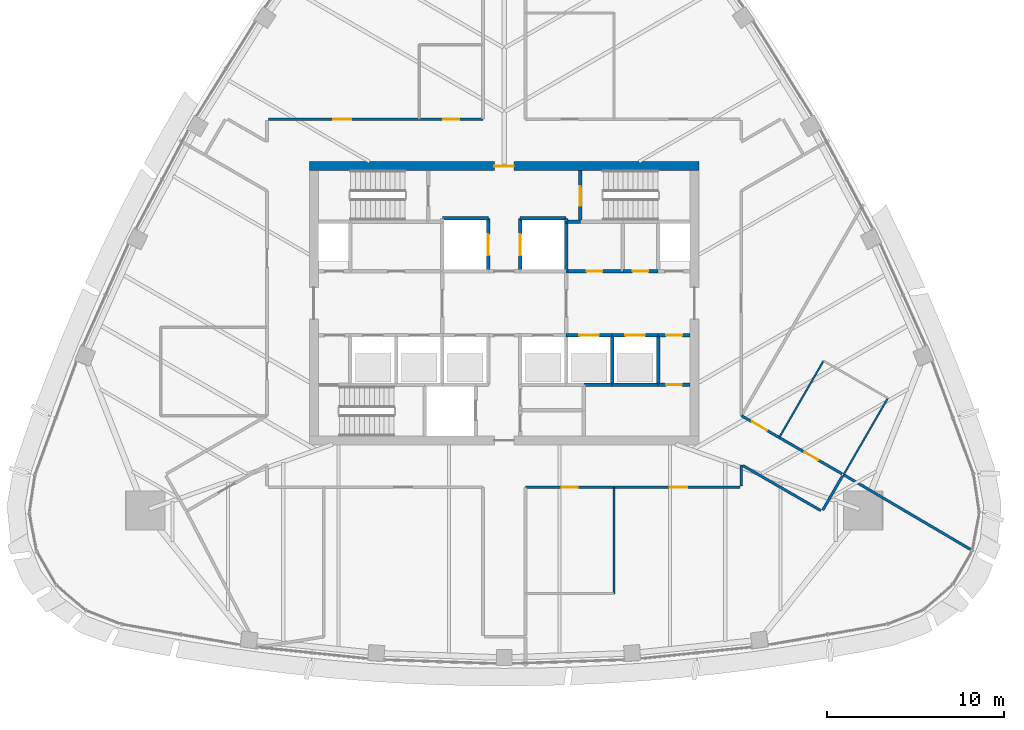
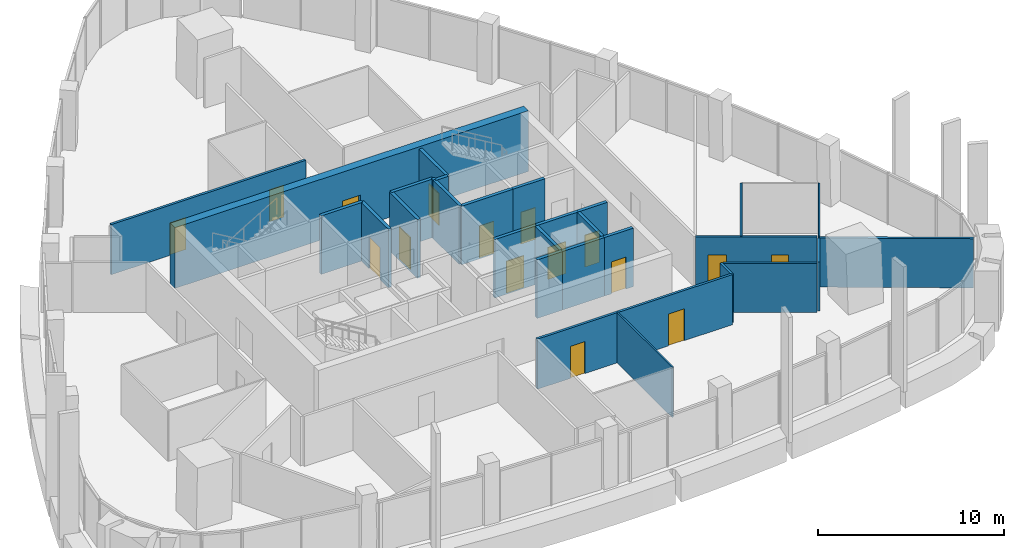
# One storey, part 10 of 16: 29 walls, 16 doors, 16 openings.
"""IFC4 building model written with IfcOpenShell, lengths in metres."""

from ifc_helpers import new_model, si_unit, direction, frame, frame_2d, origin, place, context, subcontext, project, spatial, rectangle, extrude, material, layer, layer_set, type_object, element, fill, save


model = new_model("IFC4")

# Units and contexts
model_context = context("Model", 3, precision=1e-05, world=origin(), true_north=direction((0.0, 1.0)))
body_context = subcontext(model_context, "Body", "Model", "MODEL_VIEW")
ifc_project = project(units=[si_unit("LENGTHUNIT", "METRE"), si_unit("AREAUNIT", "SQUARE_METRE"), si_unit("VOLUMEUNIT", "CUBIC_METRE"), si_unit("PLANEANGLEUNIT", "RADIAN"), si_unit("MASSUNIT", "GRAM", prefix="KILO")], contexts=[model_context])

# Site, building, storey
site_placement = place(None, origin())
site = spatial("IfcSite", under=ifc_project, at=site_placement, CompositionType="ELEMENT")
building_placement = place(site_placement, origin())
building = spatial("IfcBuilding", under=site, at=building_placement, Name="Sierra Prisma Convention Tower", CompositionType="ELEMENT")
storey_placement = place(building_placement, frame((0.0, 0.0, 303.0)))
storey = spatial("IfcBuildingStorey", under=building, at=storey_placement, Name="L69", CompositionType="ELEMENT", Elevation=303.0)

# Walls
ifc_material_1 = material(Name="Gypsum board partition", Category="gypsum")
ifc_layer_1 = layer(ifc_material_1, 0.10009765625)
ifc_layer_set_1 = layer_set([ifc_layer_1], Name="Bathroom partition 100")
wall_type_1 = type_object("IfcWallType", Name="Bathroom partition 100", PredefinedType="PARTITIONING", material=ifc_layer_set_1)
wall_1_placement = place(storey_placement, frame((6.199951171875, -10.429931640625, 0.0), z_axis=(0.0, 0.0, 1.0), x_axis=(0.0, -1.0, 0.0)))
element("IfcWall", 1, at=wall_1_placement, inside=storey, type_object=wall_type_1, Name="Partition L69 bath 6", PredefinedType="PARTITIONING", context=body_context, shape_type="SweptSolid", body=[
    extrude(rectangle(XDim=5.969970703125, YDim=0.10009765625, at=frame_2d((2.98486328125, 0.0))), origin(), (0.0, 0.0, 1.0), 3.300048828125),
])
wall_2_placement = place(storey_placement, frame((15.552001953125, -7.558837890625, 0.0), z_axis=(0.0, 0.0, 1.0), x_axis=(0.500011595943, 0.86601870876, 0.0)))
element("IfcWall", 2, at=wall_2_placement, inside=storey, type_object=wall_type_1, Name="Partition L69 bath 10", PredefinedType="PARTITIONING", context=body_context, shape_type="SweptSolid", body=[
    extrude(rectangle(XDim=4.97021484375, YDim=0.10009765625, at=frame_2d((2.485107421875, 0.0))), origin(), (0.0, 0.0, 1.0), 3.300048828125),
])
wall_3_placement = place(storey_placement, frame((21.67431640625, -5.3544921875, 0.0), z_axis=(0.0, 0.0, 1.0), x_axis=(-0.499974753747, -0.866039979225, 0.0)))
element("IfcWall", 3, at=wall_3_placement, inside=storey, type_object=wall_type_1, Name="Partition L69 bath 12", PredefinedType="PARTITIONING", context=body_context, shape_type="SweptSolid", body=[
    extrude(rectangle(XDim=4.969970703125, YDim=0.10009765625, at=frame_2d((2.48486328125, 0.0))), origin(), (0.0, 0.0, 1.0), 3.300048828125),
])

# Wall, opening, door
ifc_material_2 = material(Name="Concrete C30/37", Category="concrete")
ifc_layer_2 = layer(ifc_material_2, 0.199951171875)
ifc_layer_set_2 = layer_set([ifc_layer_2], Name="Core wall RC 200 C30/37")
wall_type_2 = type_object("IfcWallType", Name="Core wall RC 200 C30/37", PredefinedType="SOLIDWALL", material=ifc_layer_set_2)
wall_4_placement = place(storey_placement, frame((-0.89990234375, 1.800048828125, 0.0), z_axis=(0.0, 0.0, 1.0), x_axis=(0.0, 1.0, 0.0)))
wall_4 = element("IfcWall", 4, at=wall_4_placement, inside=storey, type_object=wall_type_2, Name="Core wall L69 24", PredefinedType="SOLIDWALL", context=body_context, shape_type="SweptSolid", body=[
    extrude(rectangle(XDim=3.0, YDim=0.199951171875, at=frame_2d((1.5, 0.0))), origin(), (0.0, 0.0, 1.0), 3.85009765625),
])
opening_1_placement = place(wall_4_placement, frame((0.89990234375, 0.0, 0.0)))
opening_1 = element("IfcOpeningElement", 5, at=opening_1_placement, cuts=wall_4, Name="Opening L69-D007", PredefinedType="OPENING", context=body_context, shape_type="SweptSolid", body=[
    extrude(rectangle(XDim=1.199951171875, YDim=2.10009765625, at=frame_2d((0.60009765625, 1.050048828125))), frame((0.0, 0.10009765625, 0.0), z_axis=(0.0, -1.0, 0.0), x_axis=(1.0, 0.0, 0.0)), (0.0, 0.0, 1.0), 0.199951171875),
])
ifc_material_3 = material(Name="Steel fire door leaf", Category="steel")
door_type_1 = type_object("IfcDoorType", Name="Door 1200x2100 EI 90 sliding lift landing", OperationType="SLIDING_TO_LEFT", PredefinedType="DOOR", material=ifc_material_3)
door_1_placement = place(opening_1_placement, origin())
door_1 = element("IfcDoor", 6, at=door_1_placement, inside=storey, type_object=door_type_1, Name="Door L69 20", OperationType="SLIDING_TO_LEFT", OverallHeight=2.10009765625, OverallWidth=1.199951171875, PredefinedType="DOOR", context=body_context, shape_type="SweptSolid", body=[
    extrude(rectangle(XDim=1.199951171875, YDim=2.10009765625, at=frame_2d((0.60009765625, 1.050048828125))), frame((0.0, 0.02490234375, 0.0), z_axis=(0.0, -1.0, 0.0), x_axis=(1.0, 0.0, 0.0)), (0.0, 0.0, 1.0), 0.050048828125),
])
fill(opening_1, door_1)

# Walls
wall_5_placement = place(storey_placement, frame((-0.89990234375, 4.800048828125, 0.0), z_axis=(0.0, 0.0, 1.0), x_axis=(-1.0, 0.0, 0.0)))
element("IfcWall", 7, at=wall_5_placement, inside=storey, type_object=wall_type_2, Name="Core wall L69 25", PredefinedType="SOLIDWALL", context=body_context, shape_type="SweptSolid", body=[
    extrude(rectangle(XDim=2.60009765625, YDim=0.199951171875, at=frame_2d((1.300048828125, 0.0))), origin(), (0.0, 0.0, 1.0), 3.85009765625),
])
wall_6_placement = place(storey_placement, frame((3.5, 4.60009765625, 0.0), z_axis=(0.0, 0.0, 1.0), x_axis=(0.0, 1.0, 0.0)))
element("IfcWall", 8, at=wall_6_placement, inside=storey, type_object=wall_type_2, Name="Core wall L69 39", PredefinedType="SOLIDWALL", context=body_context, shape_type="SweptSolid", body=[
    extrude(rectangle(XDim=0.199951171875, YDim=0.199951171875, at=frame_2d((0.10009765625, 0.0))), origin(), (0.0, 0.0, 1.0), 3.85009765625),
])
wall_7_placement = place(storey_placement, frame((3.5, 4.800048828125, 0.0), z_axis=(0.0, 0.0, 1.0), x_axis=(-1.0, 0.0, 0.0)))
element("IfcWall", 9, at=wall_7_placement, inside=storey, type_object=wall_type_2, Name="Core wall L69 40", PredefinedType="SOLIDWALL", context=body_context, shape_type="SweptSolid", body=[
    extrude(rectangle(XDim=2.60009765625, YDim=0.199951171875, at=frame_2d((1.300048828125, 0.0))), origin(), (0.0, 0.0, 1.0), 3.85009765625),
])

# Wall, opening, door
wall_8_placement = place(storey_placement, frame((0.89990234375, 4.800048828125, 0.0), z_axis=(0.0, 0.0, 1.0), x_axis=(0.0, -1.0, 0.0)))
wall_8 = element("IfcWall", 10, at=wall_8_placement, inside=storey, type_object=wall_type_2, Name="Core wall L69 41", PredefinedType="SOLIDWALL", context=body_context, shape_type="SweptSolid", body=[
    extrude(rectangle(XDim=3.0, YDim=0.199951171875, at=frame_2d((1.5, 0.0))), origin(), (0.0, 0.0, 1.0), 3.85009765625),
])
opening_2_placement = place(wall_8_placement, frame((0.89990234375, 0.0, 0.0)))
opening_2 = element("IfcOpeningElement", 11, at=opening_2_placement, cuts=wall_8, Name="Opening L69-D008", PredefinedType="OPENING", context=body_context, shape_type="SweptSolid", body=[
    extrude(rectangle(XDim=1.199951171875, YDim=2.10009765625, at=frame_2d((0.60009765625, 1.050048828125))), frame((0.0, 0.10009765625, 0.0), z_axis=(0.0, -1.0, 0.0), x_axis=(1.0, 0.0, 0.0)), (0.0, 0.0, 1.0), 0.199951171875),
])
door_2_placement = place(opening_2_placement, origin())
door_2 = element("IfcDoor", 12, at=door_2_placement, inside=storey, type_object=door_type_1, Name="Door L69 21", OperationType="SLIDING_TO_LEFT", OverallHeight=2.10009765625, OverallWidth=1.199951171875, PredefinedType="DOOR", context=body_context, shape_type="SweptSolid", body=[
    extrude(rectangle(XDim=1.199951171875, YDim=2.10009765625, at=frame_2d((0.60009765625, 1.050048828125))), frame((0.0, 0.02490234375, 0.0), z_axis=(0.0, -1.0, 0.0), x_axis=(1.0, 0.0, 0.0)), (0.0, 0.0, 1.0), 0.050048828125),
])
fill(opening_2, door_2)

wall_9_placement = place(storey_placement, frame((3.5, -1.800048828125, 0.0), z_axis=(0.0, 0.0, 1.0), x_axis=(1.0, 0.0, 0.0)))
wall_9 = element("IfcWall", 13, at=wall_9_placement, inside=storey, type_object=wall_type_2, Name="Core wall L69 44", PredefinedType="SOLIDWALL", context=body_context, shape_type="SweptSolid", body=[
    extrude(rectangle(XDim=2.60009765625, YDim=0.199951171875, at=frame_2d((1.300048828125, 0.0))), origin(), (0.0, 0.0, 1.0), 3.85009765625),
])
opening_3_placement = place(wall_9_placement, frame((0.75, 0.0, 0.0)))
opening_3 = element("IfcOpeningElement", 14, at=opening_3_placement, cuts=wall_9, Name="Opening L69-D005", PredefinedType="OPENING", context=body_context, shape_type="SweptSolid", body=[
    extrude(rectangle(XDim=1.10009765625, YDim=2.10009765625, at=frame_2d((0.550048828125, 1.050048828125))), frame((0.0, 0.10009765625, 0.0), z_axis=(0.0, -1.0, 0.0), x_axis=(1.0, 0.0, 0.0)), (0.0, 0.0, 1.0), 0.199951171875),
])
ifc_material_4 = material(Name="Steel fire door leaf", Category="steel")
door_type_2 = type_object("IfcDoorType", Name="Door 1100x2100 EI 90 sliding lift landing", OperationType="SLIDING_TO_LEFT", PredefinedType="DOOR", material=ifc_material_4)
door_3_placement = place(opening_3_placement, origin())
door_3 = element("IfcDoor", 15, at=door_3_placement, inside=storey, type_object=door_type_2, Name="Door L69 18", OperationType="SLIDING_TO_RIGHT", OverallHeight=2.10009765625, OverallWidth=1.10009765625, PredefinedType="DOOR", context=body_context, shape_type="SweptSolid", body=[
    extrude(rectangle(XDim=1.10009765625, YDim=2.10009765625, at=frame_2d((0.550048828125, 1.050048828125))), frame((0.0, 0.02490234375, 0.0), z_axis=(0.0, -1.0, 0.0), x_axis=(1.0, 0.0, 0.0)), (0.0, 0.0, 1.0), 0.050048828125),
])
fill(opening_3, door_3)

wall_10_placement = place(storey_placement, frame((3.5, 1.800048828125, 0.0), z_axis=(0.0, 0.0, 1.0), x_axis=(1.0, 0.0, 0.0)))
wall_10 = element("IfcWall", 16, at=wall_10_placement, inside=storey, type_object=wall_type_2, Name="Core wall L69 46", PredefinedType="SOLIDWALL", context=body_context, shape_type="SweptSolid", body=[
    extrude(rectangle(XDim=3.199951171875, YDim=0.199951171875, at=frame_2d((1.60009765625, 0.0))), origin(), (0.0, 0.0, 1.0), 3.85009765625),
])
opening_4_placement = place(wall_10_placement, frame((1.14990234375, 0.0, 0.0)))
opening_4 = element("IfcOpeningElement", 17, at=opening_4_placement, cuts=wall_10, Name="Opening L69-D020", PredefinedType="OPENING", context=body_context, shape_type="SweptSolid", body=[
    extrude(rectangle(XDim=0.89990234375, YDim=2.10009765625, at=frame_2d((0.449951171875, 1.050048828125))), frame((0.0, 0.10009765625, 0.0), z_axis=(0.0, -1.0, 0.0), x_axis=(1.0, 0.0, 0.0)), (0.0, 0.0, 1.0), 0.199951171875),
])
ifc_material_5 = material(Name="Steel fire door leaf", Category="steel")
door_type_3 = type_object("IfcDoorType", Name="Door 900x2100 FD30S", OperationType="SINGLE_SWING_LEFT", PredefinedType="DOOR", material=ifc_material_5)
door_4_placement = place(opening_4_placement, origin())
door_4 = element("IfcDoor", 18, at=door_4_placement, inside=storey, type_object=door_type_3, Name="Door L69 33", OperationType="SINGLE_SWING_LEFT", OverallHeight=2.10009765625, OverallWidth=0.89990234375, PredefinedType="DOOR", context=body_context, shape_type="SweptSolid", body=[
    extrude(rectangle(XDim=0.89990234375, YDim=2.10009765625, at=frame_2d((0.449951171875, 1.050048828125))), frame((0.0, 0.02490234375, 0.0), z_axis=(0.0, -1.0, 0.0), x_axis=(1.0, 0.0, 0.0)), (0.0, 0.0, 1.0), 0.050048828125),
])
fill(opening_4, door_4)

# Walls
wall_11_placement = place(storey_placement, frame((3.5, 4.60009765625, 0.0), z_axis=(0.0, 0.0, 1.0), x_axis=(0.0, -1.0, 0.0)))
element("IfcWall", 19, at=wall_11_placement, inside=storey, type_object=wall_type_2, Name="Core wall L69 47", PredefinedType="SOLIDWALL", context=body_context, shape_type="SweptSolid", body=[
    extrude(rectangle(XDim=2.800048828125, YDim=0.199951171875, at=frame_2d((1.39990234375, 0.0))), origin(), (0.0, 0.0, 1.0), 3.85009765625),
])
wall_12_placement = place(storey_placement, frame((4.300048828125, 4.60009765625, 0.0), z_axis=(0.0, 0.0, 1.0), x_axis=(-1.0, 0.0, 0.0)))
element("IfcWall", 20, at=wall_12_placement, inside=storey, type_object=wall_type_2, Name="Core wall L69 48", PredefinedType="SOLIDWALL", context=body_context, shape_type="SweptSolid", body=[
    extrude(rectangle(XDim=0.800048828125, YDim=0.199951171875, at=frame_2d((0.39990234375, 0.0))), origin(), (0.0, 0.0, 1.0), 3.85009765625),
])

# Wall, opening, door
wall_13_placement = place(storey_placement, frame((4.300048828125, 7.5, 0.0), z_axis=(0.0, 0.0, 1.0), x_axis=(0.0, -1.0, 0.0)))
wall_13 = element("IfcWall", 21, at=wall_13_placement, inside=storey, type_object=wall_type_2, Name="Core wall L69 50", PredefinedType="SOLIDWALL", context=body_context, shape_type="SweptSolid", body=[
    extrude(rectangle(XDim=2.89990234375, YDim=0.199951171875, at=frame_2d((1.449951171875, 0.0))), origin(), (0.0, 0.0, 1.0), 3.85009765625),
])
opening_5_placement = place(wall_13_placement, frame((0.89990234375, 0.0, 0.0)))
opening_5 = element("IfcOpeningElement", 22, at=opening_5_placement, cuts=wall_13, Name="Opening L69-D019", PredefinedType="OPENING", context=body_context, shape_type="SweptSolid", body=[
    extrude(rectangle(XDim=1.10009765625, YDim=2.10009765625, at=frame_2d((0.550048828125, 1.050048828125))), frame((0.0, 0.10009765625, 0.0), z_axis=(0.0, -1.0, 0.0), x_axis=(1.0, 0.0, 0.0)), (0.0, 0.0, 1.0), 0.199951171875),
])
ifc_material_6 = material(Name="Steel fire door leaf", Category="steel")
door_type_4 = type_object("IfcDoorType", Name="Door 1100x2100 FD90S", OperationType="SINGLE_SWING_LEFT", PredefinedType="DOOR", material=ifc_material_6)
door_5_placement = place(opening_5_placement, origin())
door_5 = element("IfcDoor", 23, at=door_5_placement, inside=storey, type_object=door_type_4, Name="Door L69 32", OperationType="SINGLE_SWING_RIGHT", OverallHeight=2.10009765625, OverallWidth=1.10009765625, PredefinedType="DOOR", context=body_context, shape_type="SweptSolid", body=[
    extrude(rectangle(XDim=1.10009765625, YDim=2.10009765625, at=frame_2d((0.550048828125, 1.050048828125))), frame((0.0, 0.02490234375, 0.0), z_axis=(0.0, -1.0, 0.0), x_axis=(1.0, 0.0, 0.0)), (0.0, 0.0, 1.0), 0.050048828125),
])
fill(opening_5, door_5)

# Walls
wall_14_placement = place(storey_placement, frame((6.10009765625, -4.60009765625, 0.0), z_axis=(0.0, 0.0, 1.0), x_axis=(-1.0, 0.0, 0.0)))
element("IfcWall", 24, at=wall_14_placement, inside=storey, type_object=wall_type_2, Name="Core wall L69 53", PredefinedType="SOLIDWALL", context=body_context, shape_type="SweptSolid", body=[
    extrude(rectangle(XDim=1.60009765625, YDim=0.199951171875, at=frame_2d((0.800048828125, 0.0))), origin(), (0.0, 0.0, 1.0), 3.85009765625),
])
wall_15_placement = place(storey_placement, frame((8.699951171875, -4.60009765625, 0.0), z_axis=(0.0, 0.0, 1.0), x_axis=(-1.0, 0.0, 0.0)))
element("IfcWall", 25, at=wall_15_placement, inside=storey, type_object=wall_type_2, Name="Core wall L69 54", PredefinedType="SOLIDWALL", context=body_context, shape_type="SweptSolid", body=[
    extrude(rectangle(XDim=2.599853515625, YDim=0.199951171875, at=frame_2d((1.2998046875, 0.0))), origin(), (0.0, 0.0, 1.0), 3.85009765625),
])
wall_16_placement = place(storey_placement, frame((6.10009765625, -4.60009765625, 0.0), z_axis=(0.0, 0.0, 1.0), x_axis=(0.0, 1.0, 0.0)))
element("IfcWall", 26, at=wall_16_placement, inside=storey, type_object=wall_type_2, Name="Core wall L69 55", PredefinedType="SOLIDWALL", context=body_context, shape_type="SweptSolid", body=[
    extrude(rectangle(XDim=2.800048828125, YDim=0.199951171875, at=frame_2d((1.39990234375, 0.0))), origin(), (0.0, 0.0, 1.0), 3.85009765625),
])

# Wall, opening, door
wall_17_placement = place(storey_placement, frame((6.10009765625, -1.800048828125, 0.0), z_axis=(0.0, 0.0, 1.0), x_axis=(1.0, 0.0, 0.0)))
wall_17 = element("IfcWall", 27, at=wall_17_placement, inside=storey, type_object=wall_type_2, Name="Core wall L69 56", PredefinedType="SOLIDWALL", context=body_context, shape_type="SweptSolid", body=[
    extrude(rectangle(XDim=2.599853515625, YDim=0.199951171875, at=frame_2d((1.2998046875, 0.0))), origin(), (0.0, 0.0, 1.0), 3.85009765625),
])
opening_6_placement = place(wall_17_placement, frame((0.75, 0.0, 0.0)))
opening_6 = element("IfcOpeningElement", 28, at=opening_6_placement, cuts=wall_17, Name="Opening L69-D006", PredefinedType="OPENING", context=body_context, shape_type="SweptSolid", body=[
    extrude(rectangle(XDim=1.10009765625, YDim=2.10009765625, at=frame_2d((0.550048828125, 1.050048828125))), frame((0.0, 0.10009765625, 0.0), z_axis=(0.0, -1.0, 0.0), x_axis=(1.0, 0.0, 0.0)), (0.0, 0.0, 1.0), 0.199951171875),
])
door_6_placement = place(opening_6_placement, origin())
door_6 = element("IfcDoor", 29, at=door_6_placement, inside=storey, type_object=door_type_2, Name="Door L69 19", OperationType="SLIDING_TO_LEFT", OverallHeight=2.10009765625, OverallWidth=1.10009765625, PredefinedType="DOOR", context=body_context, shape_type="SweptSolid", body=[
    extrude(rectangle(XDim=1.10009765625, YDim=2.10009765625, at=frame_2d((0.550048828125, 1.050048828125))), frame((0.0, 0.02490234375, 0.0), z_axis=(0.0, -1.0, 0.0), x_axis=(1.0, 0.0, 0.0)), (0.0, 0.0, 1.0), 0.050048828125),
])
fill(opening_6, door_6)

wall_18_placement = place(storey_placement, frame((6.699951171875, 1.800048828125, 0.0), z_axis=(0.0, 0.0, 1.0), x_axis=(1.0, 0.0, 0.0)))
wall_18 = element("IfcWall", 30, at=wall_18_placement, inside=storey, type_object=wall_type_2, Name="Core wall L69 57", PredefinedType="SOLIDWALL", context=body_context, shape_type="SweptSolid", body=[
    extrude(rectangle(XDim=2.0, YDim=0.199951171875, at=frame_2d((1.0, 0.0))), origin(), (0.0, 0.0, 1.0), 3.85009765625),
])
opening_7_placement = place(wall_18_placement, frame((0.550048828125, 0.0, 0.0)))
opening_7 = element("IfcOpeningElement", 31, at=opening_7_placement, cuts=wall_18, Name="Opening L69-D021", PredefinedType="OPENING", context=body_context, shape_type="SweptSolid", body=[
    extrude(rectangle(XDim=0.89990234375, YDim=2.10009765625, at=frame_2d((0.449951171875, 1.050048828125))), frame((0.0, 0.10009765625, 0.0), z_axis=(0.0, -1.0, 0.0), x_axis=(1.0, 0.0, 0.0)), (0.0, 0.0, 1.0), 0.199951171875),
])
door_7_placement = place(opening_7_placement, origin())
door_7 = element("IfcDoor", 32, at=door_7_placement, inside=storey, type_object=door_type_3, Name="Door L69 34", OperationType="SINGLE_SWING_LEFT", OverallHeight=2.10009765625, OverallWidth=0.89990234375, PredefinedType="DOOR", context=body_context, shape_type="SweptSolid", body=[
    extrude(rectangle(XDim=0.89990234375, YDim=2.10009765625, at=frame_2d((0.449951171875, 1.050048828125))), frame((0.0, 0.02490234375, 0.0), z_axis=(0.0, -1.0, 0.0), x_axis=(1.0, 0.0, 0.0)), (0.0, 0.0, 1.0), 0.050048828125),
])
fill(opening_7, door_7)

wall_19_placement = place(storey_placement, frame((10.5, -4.60009765625, 0.0), z_axis=(0.0, 0.0, 1.0), x_axis=(-1.0, 0.0, 0.0)))
wall_19 = element("IfcWall", 33, at=wall_19_placement, inside=storey, type_object=wall_type_2, Name="Core wall L69 60", PredefinedType="SOLIDWALL", context=body_context, shape_type="SweptSolid", body=[
    extrude(rectangle(XDim=1.800048828125, YDim=0.199951171875, at=frame_2d((0.89990234375, 0.0))), origin(), (0.0, 0.0, 1.0), 3.85009765625),
])
opening_8_placement = place(wall_19_placement, frame((0.4599609375, 0.0, 0.0)))
opening_8 = element("IfcOpeningElement", 34, at=opening_8_placement, cuts=wall_19, Name="Opening L69-D023", PredefinedType="OPENING", context=body_context, shape_type="SweptSolid", body=[
    extrude(rectangle(XDim=0.89990234375, YDim=2.10009765625, at=frame_2d((0.449951171875, 1.050048828125))), frame((0.0, 0.10009765625, 0.0), z_axis=(0.0, -1.0, 0.0), x_axis=(1.0, 0.0, 0.0)), (0.0, 0.0, 1.0), 0.199951171875),
])
door_8_placement = place(opening_8_placement, origin())
door_8 = element("IfcDoor", 35, at=door_8_placement, inside=storey, type_object=door_type_3, Name="Door L69 36", OperationType="SINGLE_SWING_LEFT", OverallHeight=2.10009765625, OverallWidth=0.89990234375, PredefinedType="DOOR", context=body_context, shape_type="SweptSolid", body=[
    extrude(rectangle(XDim=0.89990234375, YDim=2.10009765625, at=frame_2d((0.449951171875, 1.050048828125))), frame((0.0, 0.02490234375, 0.0), z_axis=(0.0, -1.0, 0.0), x_axis=(1.0, 0.0, 0.0)), (0.0, 0.0, 1.0), 0.050048828125),
])
fill(opening_8, door_8)

# Wall
wall_20_placement = place(storey_placement, frame((8.699951171875, -1.800048828125, 0.0), z_axis=(0.0, 0.0, 1.0), x_axis=(0.0, -1.0, 0.0)))
element("IfcWall", 36, at=wall_20_placement, inside=storey, type_object=wall_type_2, Name="Core wall L69 61", PredefinedType="SOLIDWALL", context=body_context, shape_type="SweptSolid", body=[
    extrude(rectangle(XDim=2.800048828125, YDim=0.199951171875, at=frame_2d((1.39990234375, 0.0))), origin(), (0.0, 0.0, 1.0), 3.85009765625),
])

# Wall, opening, door
wall_21_placement = place(storey_placement, frame((8.699951171875, -1.800048828125, 0.0), z_axis=(0.0, 0.0, 1.0), x_axis=(1.0, 0.0, 0.0)))
wall_21 = element("IfcWall", 37, at=wall_21_placement, inside=storey, type_object=wall_type_2, Name="Core wall L69 62", PredefinedType="SOLIDWALL", context=body_context, shape_type="SweptSolid", body=[
    extrude(rectangle(XDim=1.800048828125, YDim=0.199951171875, at=frame_2d((0.89990234375, 0.0))), origin(), (0.0, 0.0, 1.0), 3.85009765625),
])
opening_9_placement = place(wall_21_placement, frame((0.449951171875, 0.0, 0.0)))
opening_9 = element("IfcOpeningElement", 38, at=opening_9_placement, cuts=wall_21, Name="Opening L69-D024", PredefinedType="OPENING", context=body_context, shape_type="SweptSolid", body=[
    extrude(rectangle(XDim=0.89990234375, YDim=2.10009765625, at=frame_2d((0.449951171875, 1.050048828125))), frame((0.0, 0.10009765625, 0.0), z_axis=(0.0, -1.0, 0.0), x_axis=(1.0, 0.0, 0.0)), (0.0, 0.0, 1.0), 0.199951171875),
])
door_9_placement = place(opening_9_placement, origin())
door_9 = element("IfcDoor", 39, at=door_9_placement, inside=storey, type_object=door_type_3, Name="Door L69 37", OperationType="SINGLE_SWING_RIGHT", OverallHeight=2.10009765625, OverallWidth=0.89990234375, PredefinedType="DOOR", context=body_context, shape_type="SweptSolid", body=[
    extrude(rectangle(XDim=0.89990234375, YDim=2.10009765625, at=frame_2d((0.449951171875, 1.050048828125))), frame((0.0, 0.02490234375, 0.0), z_axis=(0.0, -1.0, 0.0), x_axis=(1.0, 0.0, 0.0)), (0.0, 0.0, 1.0), 0.050048828125),
])
fill(opening_9, door_9)

ifc_material_7 = material(Name="Concrete C50/60", Category="concrete")
ifc_layer_3 = layer(ifc_material_7, 0.5)
ifc_layer_set_3 = layer_set([ifc_layer_3], Name="Core wall RC 500 C50/60")
wall_type_3 = type_object("IfcWallType", Name="Core wall RC 500 C50/60", PredefinedType="SHEAR", material=ifc_layer_set_3)
wall_22_placement = place(storey_placement, frame((-11.0, 7.75, 0.0), z_axis=(0.0, 0.0, 1.0), x_axis=(1.0, 0.0, 0.0)))
wall_22 = element("IfcWall", 40, at=wall_22_placement, inside=storey, type_object=wall_type_3, Name="Core wall N L69", PredefinedType="SHEAR", context=body_context, shape_type="SweptSolid", body=[
    extrude(rectangle(XDim=22.0, YDim=0.5, at=frame_2d((11.0, 0.0))), origin(), (0.0, 0.0, 1.0), 4.0),
])
opening_10_placement = place(wall_22_placement, frame((10.449951171875, 0.0, 0.0)))
opening_10 = element("IfcOpeningElement", 41, at=opening_10_placement, cuts=wall_22, Name="Opening L69-D041", PredefinedType="OPENING", context=body_context, shape_type="SweptSolid", body=[
    extrude(rectangle(XDim=1.10009765625, YDim=2.10009765625, at=frame_2d((0.550048828125, 1.050048828125))), frame((0.0, 0.25, 0.0), z_axis=(0.0, -1.0, 0.0), x_axis=(1.0, 0.0, 0.0)), (0.0, 0.0, 1.0), 0.5),
])
ifc_material_8 = material(Name="Steel fire door leaf", Category="steel")
door_type_5 = type_object("IfcDoorType", Name="Door 1100x2100 FD60S", OperationType="SINGLE_SWING_LEFT", PredefinedType="DOOR", material=ifc_material_8)
door_10_placement = place(opening_10_placement, origin())
door_10 = element("IfcDoor", 42, at=door_10_placement, inside=storey, type_object=door_type_5, Name="Door L69 42", OperationType="SINGLE_SWING_LEFT", OverallHeight=2.10009765625, OverallWidth=1.10009765625, PredefinedType="DOOR", context=body_context, shape_type="SweptSolid", body=[
    extrude(rectangle(XDim=1.10009765625, YDim=2.10009765625, at=frame_2d((0.550048828125, 1.050048828125))), frame((0.0, 0.02490234375, 0.0), z_axis=(0.0, -1.0, 0.0), x_axis=(1.0, 0.0, 0.0)), (0.0, 0.0, 1.0), 0.050048828125),
])
fill(opening_10, door_10)

# Wall, openings, doors
ifc_material_9 = material(Name="Gypsum board partition", Category="gypsum")
ifc_layer_4 = layer(ifc_material_9, 0.14990234375)
ifc_layer_set_4 = layer_set([ifc_layer_4], Name="Corridor wall 150 gypsum EI 60")
wall_type_4 = type_object("IfcWallType", Name="Corridor wall 150 gypsum EI 60", PredefinedType="PARTITIONING", material=ifc_layer_set_4)
wall_23_placement = place(storey_placement, frame((-1.199951171875, 10.39990234375, 0.0), z_axis=(0.0, 0.0, 1.0), x_axis=(-1.0, 0.0, 0.0)))
wall_23 = element("IfcWall", 43, at=wall_23_placement, inside=storey, type_object=wall_type_4, Name="Partition L69 corr 13", PredefinedType="PARTITIONING", context=body_context, shape_type="SweptSolid", body=[
    extrude(rectangle(XDim=12.1201171875, YDim=0.14990234375, at=frame_2d((6.06005859375, 0.0))), origin(), (0.0, 0.0, 1.0), 3.300048828125),
])
opening_11_placement = place(wall_23_placement, frame((1.35009765625, 0.0, 0.0)))
opening_11 = element("IfcOpeningElement", 44, at=opening_11_placement, cuts=wall_23, Name="Opening L69-D030", PredefinedType="OPENING", context=body_context, shape_type="SweptSolid", body=[
    extrude(rectangle(XDim=0.89990234375, YDim=2.10009765625, at=frame_2d((0.449951171875, 1.050048828125))), frame((0.0, 0.074951171875, 0.0), z_axis=(0.0, -1.0, 0.0), x_axis=(1.0, 0.0, 0.0)), (0.0, 0.0, 1.0), 0.14990234375),
])
opening_12_placement = place(wall_23_placement, frame((7.449951171875, 0.0, 0.0)))
opening_12 = element("IfcOpeningElement", 45, at=opening_12_placement, cuts=wall_23, Name="Opening L69-D031", PredefinedType="OPENING", context=body_context, shape_type="SweptSolid", body=[
    extrude(rectangle(XDim=1.0, YDim=2.10009765625, at=frame_2d((0.5, 1.050048828125))), frame((0.0, 0.074951171875, 0.0), z_axis=(0.0, -1.0, 0.0), x_axis=(1.0, 0.0, 0.0)), (0.0, 0.0, 1.0), 0.14990234375),
])
ifc_material_10 = material(Name="Steel fire door leaf", Category="steel")
door_type_6 = type_object("IfcDoorType", Name="Door 1000x2100 FD30S", OperationType="SINGLE_SWING_LEFT", PredefinedType="DOOR", material=ifc_material_10)
door_11_placement = place(opening_12_placement, origin())
door_11 = element("IfcDoor", 46, at=door_11_placement, inside=storey, type_object=door_type_6, Name="Door L69 5", OperationType="SINGLE_SWING_LEFT", OverallHeight=2.10009765625, OverallWidth=1.0, PredefinedType="DOOR", context=body_context, shape_type="SweptSolid", body=[
    extrude(rectangle(XDim=1.0, YDim=2.10009765625, at=frame_2d((0.5, 1.050048828125))), frame((0.0, 0.02490234375, 0.0), z_axis=(0.0, -1.0, 0.0), x_axis=(1.0, 0.0, 0.0)), (0.0, 0.0, 1.0), 0.050048828125),
])
fill(opening_12, door_11)
door_12_placement = place(opening_11_placement, origin())
door_12 = element("IfcDoor", 47, at=door_12_placement, inside=storey, type_object=door_type_3, Name="Door L69 4", OperationType="SINGLE_SWING_LEFT", OverallHeight=2.10009765625, OverallWidth=0.89990234375, PredefinedType="DOOR", context=body_context, shape_type="SweptSolid", body=[
    extrude(rectangle(XDim=0.89990234375, YDim=2.10009765625, at=frame_2d((0.449951171875, 1.050048828125))), frame((0.0, 0.02490234375, 0.0), z_axis=(0.0, -1.0, 0.0), x_axis=(1.0, 0.0, 0.0)), (0.0, 0.0, 1.0), 0.050048828125),
])
fill(opening_11, door_12)

wall_24_placement = place(storey_placement, frame((1.199951171875, -10.39990234375, 0.0), z_axis=(0.0, 0.0, 1.0), x_axis=(1.0, 0.0, 0.0)))
wall_24 = element("IfcWall", 48, at=wall_24_placement, inside=storey, type_object=wall_type_4, Name="Partition L69 corr 17", PredefinedType="PARTITIONING", context=body_context, shape_type="SweptSolid", body=[
    extrude(rectangle(XDim=12.1201171875, YDim=0.14990234375, at=frame_2d((6.06005859375, 0.0))), origin(), (0.0, 0.0, 1.0), 3.300048828125),
])
opening_13_placement = place(wall_24_placement, frame((2.050048828125, 0.0, 0.0)))
opening_13 = element("IfcOpeningElement", 49, at=opening_13_placement, cuts=wall_24, Name="Opening L69-D036", PredefinedType="OPENING", context=body_context, shape_type="SweptSolid", body=[
    extrude(rectangle(XDim=0.89990234375, YDim=2.10009765625, at=frame_2d((0.449951171875, 1.050048828125))), frame((0.0, 0.074951171875, 0.0), z_axis=(0.0, -1.0, 0.0), x_axis=(1.0, 0.0, 0.0)), (0.0, 0.0, 1.0), 0.14990234375),
])
opening_14_placement = place(wall_24_placement, frame((8.14990234375, 0.0, 0.0)))
opening_14 = element("IfcOpeningElement", 50, at=opening_14_placement, cuts=wall_24, Name="Opening L69-D037", PredefinedType="OPENING", context=body_context, shape_type="SweptSolid", body=[
    extrude(rectangle(XDim=1.0, YDim=2.10009765625, at=frame_2d((0.5, 1.050048828125))), frame((0.0, 0.074951171875, 0.0), z_axis=(0.0, -1.0, 0.0), x_axis=(1.0, 0.0, 0.0)), (0.0, 0.0, 1.0), 0.14990234375),
])
door_13_placement = place(opening_14_placement, origin())
door_13 = element("IfcDoor", 51, at=door_13_placement, inside=storey, type_object=door_type_6, Name="Door L69 11", OperationType="SINGLE_SWING_RIGHT", OverallHeight=2.10009765625, OverallWidth=1.0, PredefinedType="DOOR", context=body_context, shape_type="SweptSolid", body=[
    extrude(rectangle(XDim=1.0, YDim=2.10009765625, at=frame_2d((0.5, 1.050048828125))), frame((0.0, 0.02490234375, 0.0), z_axis=(0.0, -1.0, 0.0), x_axis=(1.0, 0.0, 0.0)), (0.0, 0.0, 1.0), 0.050048828125),
])
fill(opening_14, door_13)
door_14_placement = place(opening_13_placement, origin())
door_14 = element("IfcDoor", 52, at=door_14_placement, inside=storey, type_object=door_type_3, Name="Door L69 10", OperationType="SINGLE_SWING_RIGHT", OverallHeight=2.10009765625, OverallWidth=0.89990234375, PredefinedType="DOOR", context=body_context, shape_type="SweptSolid", body=[
    extrude(rectangle(XDim=0.89990234375, YDim=2.10009765625, at=frame_2d((0.449951171875, 1.050048828125))), frame((0.0, 0.02490234375, 0.0), z_axis=(0.0, -1.0, 0.0), x_axis=(1.0, 0.0, 0.0)), (0.0, 0.0, 1.0), 0.050048828125),
])
fill(opening_13, door_14)

# Walls
wall_25_placement = place(storey_placement, frame((13.39990234375, -10.320068359375, 0.0), z_axis=(0.0, 0.0, 1.0), x_axis=(0.0, 1.0, 0.0)))
element("IfcWall", 53, at=wall_25_placement, inside=storey, type_object=wall_type_4, Name="Partition L69 corr 20", PredefinedType="PARTITIONING", context=body_context, shape_type="SweptSolid", body=[
    extrude(rectangle(XDim=1.197998046875, YDim=0.14990234375, at=frame_2d((0.59912109375, 0.0))), origin(), (0.0, 0.0, 1.0), 3.23291015625),
])
wall_26_placement = place(storey_placement, frame((13.479248046875, -9.16796875, 0.0), z_axis=(0.0, 0.0, 1.0), x_axis=(0.866029844103, -0.499992309064, 0.0)))
element("IfcWall", 54, at=wall_26_placement, inside=storey, type_object=wall_type_4, Name="Partition L69 corr 21", PredefinedType="PARTITIONING", context=body_context, shape_type="SweptSolid", body=[
    extrude(rectangle(XDim=5.09033203125, YDim=0.14990234375, at=frame_2d((2.545166015625, 0.0))), origin(), (0.0, 0.0, 1.0), 3.23291015625),
])

# Wall, openings, doors
wall_27_placement = place(storey_placement, frame((19.087890625, -9.634765625, 0.0), z_axis=(0.0, 0.0, 1.0), x_axis=(-0.866027119138, 0.499997028909, 0.0)))
wall_27 = element("IfcWall", 55, at=wall_27_placement, inside=storey, type_object=wall_type_4, Name="Partition L69 corr 24", PredefinedType="PARTITIONING", context=body_context, shape_type="SweptSolid", body=[
    extrude(rectangle(XDim=6.56787109375, YDim=0.14990234375, at=frame_2d((3.283935546875, 0.0))), origin(), (0.0, 0.0, 1.0), 3.300048828125),
])
opening_15_placement = place(wall_27_placement, frame((1.550048828125, 0.0, 0.0)))
opening_15 = element("IfcOpeningElement", 56, at=opening_15_placement, cuts=wall_27, Name="Opening L69-D038", PredefinedType="OPENING", context=body_context, shape_type="SweptSolid", body=[
    extrude(rectangle(XDim=0.89990234375, YDim=2.10009765625, at=frame_2d((0.449951171875, 1.050048828125))), frame((0.0, 0.074951171875, 0.0), z_axis=(0.0, -1.0, 0.0), x_axis=(1.0, 0.0, 0.0)), (0.0, 0.0, 1.0), 0.14990234375),
])
opening_16_placement = place(wall_27_placement, frame((4.8837890625, 0.0, 0.0)))
opening_16 = element("IfcOpeningElement", 57, at=opening_16_placement, cuts=wall_27, Name="Opening L69-D039", PredefinedType="OPENING", context=body_context, shape_type="SweptSolid", body=[
    extrude(rectangle(XDim=1.0, YDim=2.10009765625, at=frame_2d((0.5, 1.050048828125))), frame((0.0, 0.074951171875, 0.0), z_axis=(0.0, -1.0, 0.0), x_axis=(1.0, 0.0, 0.0)), (0.0, 0.0, 1.0), 0.14990234375),
])
door_15_placement = place(opening_16_placement, origin())
door_15 = element("IfcDoor", 58, at=door_15_placement, inside=storey, type_object=door_type_6, Name="Door L69 13", OperationType="SINGLE_SWING_LEFT", OverallHeight=2.10009765625, OverallWidth=1.0, PredefinedType="DOOR", context=body_context, shape_type="SweptSolid", body=[
    extrude(rectangle(XDim=1.0, YDim=2.10009765625, at=frame_2d((0.5, 1.050048828125))), frame((0.0, 0.02490234375, 0.0), z_axis=(0.0, -1.0, 0.0), x_axis=(1.0, 0.0, 0.0)), (0.0, 0.0, 1.0), 0.050048828125),
])
fill(opening_16, door_15)
door_16_placement = place(opening_15_placement, origin())
door_16 = element("IfcDoor", 59, at=door_16_placement, inside=storey, type_object=door_type_3, Name="Door L69 12", OperationType="SINGLE_SWING_RIGHT", OverallHeight=2.10009765625, OverallWidth=0.89990234375, PredefinedType="DOOR", context=body_context, shape_type="SweptSolid", body=[
    extrude(rectangle(XDim=0.89990234375, YDim=2.10009765625, at=frame_2d((0.449951171875, 1.050048828125))), frame((0.0, 0.02490234375, 0.0), z_axis=(0.0, -1.0, 0.0), x_axis=(1.0, 0.0, 0.0)), (0.0, 0.0, 1.0), 0.050048828125),
])
fill(opening_15, door_16)

# Walls
wall_28_placement = place(storey_placement, frame((17.9970703125, -11.683837890625, 0.0), z_axis=(0.0, 0.0, 1.0), x_axis=(0.500030632641, 0.866007717299, 0.0)))
element("IfcWall", 60, at=wall_28_placement, inside=storey, type_object=wall_type_4, Name="Partition L69 corr 28", PredefinedType="PARTITIONING", context=body_context, shape_type="SweptSolid", body=[
    extrude(rectangle(XDim=2.239990234375, YDim=0.14990234375, at=frame_2d((1.1201171875, 0.0))), origin(), (0.0, 0.0, 1.0), 3.23291015625),
])
ifc_material_11 = material(Name="Gypsum board partition", Category="gypsum")
ifc_layer_5 = layer(ifc_material_11, 0.14990234375)
ifc_layer_set_5 = layer_set([ifc_layer_5], Name="Party wall 150 gypsum")
wall_type_5 = type_object("IfcWallType", Name="Party wall 150 gypsum", PredefinedType="PARTITIONING", material=ifc_layer_set_5)
wall_29_placement = place(storey_placement, frame((19.156982421875, -9.6748046875, 0.0), z_axis=(0.0, 0.0, 1.0), x_axis=(0.861729621709, -0.507367774962, 0.0)))
element("IfcWall", 61, at=wall_29_placement, inside=storey, type_object=wall_type_5, Name="Partition L69 party 10", PredefinedType="PARTITIONING", context=body_context, shape_type="SweptSolid", body=[
    extrude(rectangle(XDim=8.3466796875, YDim=0.14990234375, at=frame_2d((4.17333984375, 0.0))), origin(), (0.0, 0.0, 1.0), 3.23388671875),
])

save(model, "model.ifc")
